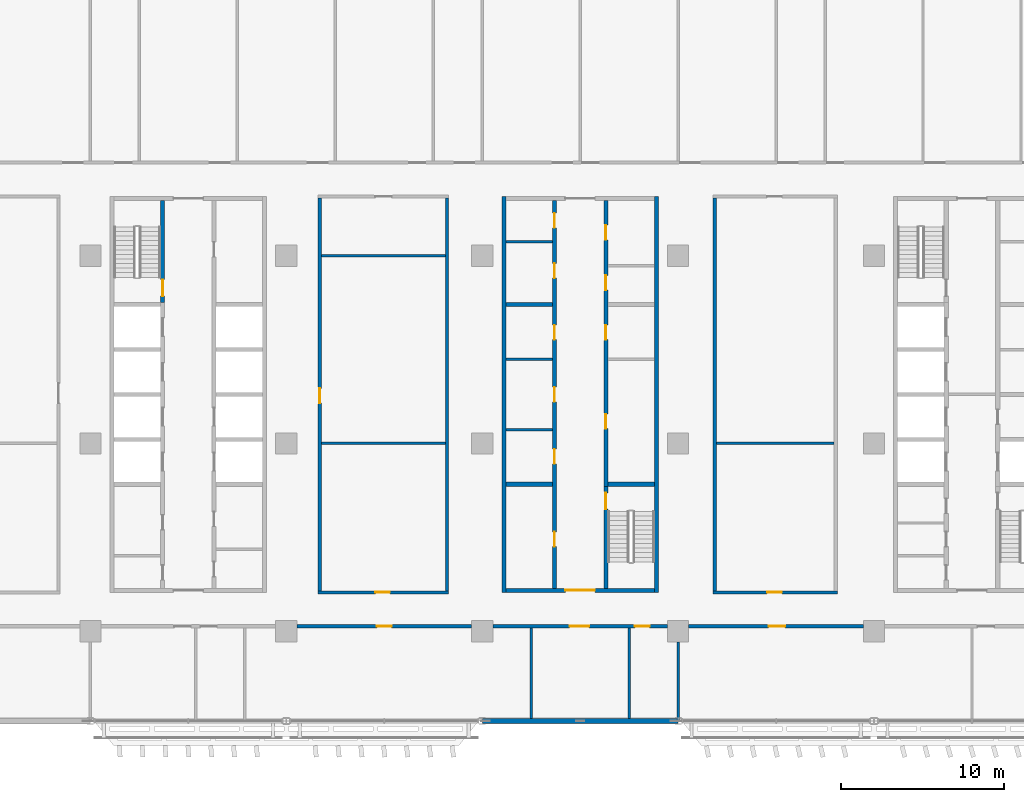
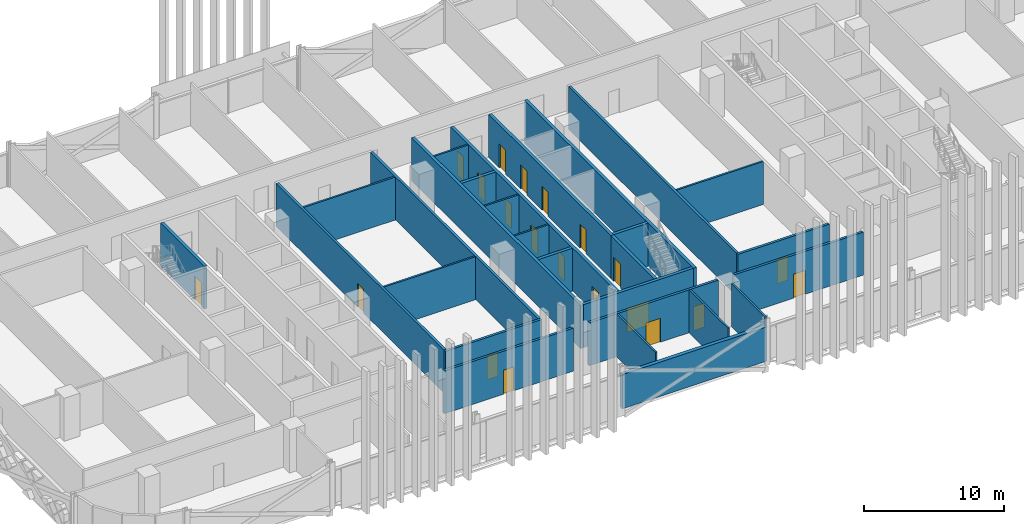
# One storey, part 12 of 33: 28 walls, 20 doors, 20 openings.
"""IFC4 building model written with IfcOpenShell, lengths in metres."""

from ifc_helpers import new_model, si_unit, direction, frame, frame_2d, origin, place, context, subcontext, project, spatial, rectangle, extrude, material, layer, layer_set, type_object, element, fill, save


model = new_model("IFC4")

# Units and contexts
model_context = context("Model", 3, precision=1e-05, world=origin(), true_north=direction((0.0, 1.0)))
body_context = subcontext(model_context, "Body", "Model", "MODEL_VIEW")
ifc_project = project(units=[si_unit("LENGTHUNIT", "METRE"), si_unit("AREAUNIT", "SQUARE_METRE"), si_unit("VOLUMEUNIT", "CUBIC_METRE"), si_unit("PLANEANGLEUNIT", "RADIAN"), si_unit("MASSUNIT", "GRAM", prefix="KILO")], contexts=[model_context])

# Site, building, storey
site_placement = place(None, origin())
site = spatial("IfcSite", under=ifc_project, at=site_placement, CompositionType="ELEMENT")
building_placement = place(site_placement, origin())
building = spatial("IfcBuilding", under=site, at=building_placement, Name="Mahtab Terrace Research Tower", CompositionType="ELEMENT")
storey_placement = place(building_placement, frame((0.0, 0.0, 122.0)))
storey = spatial("IfcBuildingStorey", under=building, at=storey_placement, Name="L28", CompositionType="ELEMENT", Elevation=122.0)

# Walls
ifc_material_1 = material(Name="Gypsum board partition")
ifc_layer_1 = layer(ifc_material_1, 0.14990234375)
ifc_layer_set_1 = layer_set([ifc_layer_1], Name="Core partition 150")
wall_type_1 = type_object("IfcWallType", Name="Core partition 150", PredefinedType="PARTITIONING", material=ifc_layer_set_1)
for number, where, z_axis, x_axis, name in (
    (1, (-4.550048828125, 0.85009765625, 0.0), (0.0, 0.0, 1.0), (1.0, 0.0, 0.0), "Core wall B pWL-215"),
    (2, (-4.550048828125, 5.14990234375, 0.0), (0.0, 0.0, 1.0), (1.0, 0.0, 0.0), "Core wall B pWL215"),
    (3, (-4.550048828125, 12.35498046875, 0.0), (0.0, 0.0, 1.0), (1.0, 0.0, 0.0), "Core wall B pWN936"),
):
    element("IfcWall", number, at=place(storey_placement, frame(where, z_axis=z_axis, x_axis=x_axis)), inside=storey, type_object=wall_type_1, Name=name, PredefinedType="PARTITIONING", context=body_context, shape_type="SweptSolid", body=[
        extrude(rectangle(XDim=2.85009765625, YDim=0.14990234375, at=frame_2d((1.425048828125, 0.0))), origin(), (0.0, 0.0, 1.0), 3.760009765625),
    ])

# Wall, opening, door
ifc_material_2 = material(Name="Concrete C70/85", Category="concrete")
ifc_layer_2 = layer(ifc_material_2, 0.25)
ifc_layer_set_2 = layer_set([ifc_layer_2], Name="Core wall 250")
wall_type_2 = type_object("IfcWallType", Name="Core wall 250", PredefinedType="SOLIDWALL", material=ifc_layer_set_2)
wall_1_placement = place(storey_placement, frame((-25.574951171875, 14.875, 0.0), z_axis=(0.0, 0.0, 1.0), x_axis=(0.0, -1.0, 0.0)))
wall_1 = element("IfcWall", 4, at=wall_1_placement, inside=storey, type_object=wall_type_2, Name="Core wall A innerWN", PredefinedType="SOLIDWALL", context=body_context, shape_type="SweptSolid", body=[
    extrude(rectangle(XDim=6.25, YDim=0.25, at=frame_2d((3.125, 0.0))), origin(), (0.0, 0.0, 1.0), 3.760009765625),
])
opening_1_placement = place(wall_1_placement, frame((4.85009765625, 0.0, 0.0)))
opening_1 = element("IfcOpeningElement", 5, at=opening_1_placement, cuts=wall_1, Name="Opening A-ST1", PredefinedType="OPENING", context=body_context, shape_type="SweptSolid", body=[
    extrude(rectangle(XDim=1.0, YDim=2.10009765625, at=frame_2d((0.5, 1.050048828125))), frame((0.0, 0.135009765625, 0.0), z_axis=(0.0, -1.0, 0.0), x_axis=(1.0, 0.0, 0.0)), (0.0, 0.0, 1.0), 0.27001953125),
])
ifc_material_3 = material(Name="Steel fire door", Category="steel")
door_type_1 = type_object("IfcDoorType", Name="Stair door 1000x2100 1.5 HR", OperationType="NOTDEFINED", PredefinedType="DOOR", material=ifc_material_3)
door_1_placement = place(opening_1_placement, origin())
door_1 = element("IfcDoor", 6, at=door_1_placement, inside=storey, type_object=door_type_1, Name="Stair door ST1 L28", OperationType="SINGLE_SWING_RIGHT", OverallHeight=2.10009765625, OverallWidth=1.0, PredefinedType="DOOR", context=body_context, shape_type="SweptSolid", body=[
    extrude(rectangle(XDim=1.0, YDim=2.10009765625, at=frame_2d((0.5, 1.050048828125))), frame((0.0, 0.02490234375, 0.0), z_axis=(0.0, -1.0, 0.0), x_axis=(1.0, 0.0, 0.0)), (0.0, 0.0, 1.0), 0.050048828125),
])
fill(opening_1, door_1)

# Walls
for number, where, z_axis, x_axis, name in (
    (7, (-4.675048828125, 15.125, 0.0), (0.0, 0.0, 1.0), (0.0, -1.0, 0.0), "Core wall B outerW"),
    (8, (4.675048828125, -9.125, 0.0), (0.0, 0.0, 1.0), (0.0, 1.0, 0.0), "Core wall B outerE"),
):
    element("IfcWall", number, at=place(storey_placement, frame(where, z_axis=z_axis, x_axis=x_axis)), inside=storey, type_object=wall_type_2, Name=name, PredefinedType="SOLIDWALL", context=body_context, shape_type="SweptSolid", body=[
        extrude(rectangle(XDim=24.25, YDim=0.25, at=frame_2d((12.125, 0.0))), origin(), (0.0, 0.0, 1.0), 3.760009765625),
    ])

# Wall, opening, door
wall_2_placement = place(storey_placement, frame((4.550048828125, -9.0, 0.0), z_axis=(0.0, 0.0, 1.0), x_axis=(-1.0, 0.0, 0.0)))
wall_2 = element("IfcWall", 9, at=wall_2_placement, inside=storey, type_object=wall_type_2, Name="Core wall B endS", PredefinedType="SOLIDWALL", context=body_context, shape_type="SweptSolid", body=[
    extrude(rectangle(XDim=9.10009765625, YDim=0.25, at=frame_2d((4.550048828125, 0.0))), origin(), (0.0, 0.0, 1.0), 3.760009765625),
])
opening_2_placement = place(wall_2_placement, frame((3.64990234375, 0.0, 0.0)))
opening_2 = element("IfcOpeningElement", 10, at=opening_2_placement, cuts=wall_2, Name="Opening B-S1", PredefinedType="OPENING", context=body_context, shape_type="SweptSolid", body=[
    extrude(rectangle(XDim=1.800048828125, YDim=2.10009765625, at=frame_2d((0.89990234375, 1.050048828125))), frame((0.0, 0.135009765625, 0.0), z_axis=(0.0, -1.0, 0.0), x_axis=(1.0, 0.0, 0.0)), (0.0, 0.0, 1.0), 0.27001953125),
])
door_type_2 = type_object("IfcDoorType", Name="Lobby double door 1800x2100 1 HR", OperationType="DOUBLE_DOOR_SINGLE_SWING", PredefinedType="DOOR", material=ifc_material_3)
door_2_placement = place(opening_2_placement, origin())
door_2 = element("IfcDoor", 11, at=door_2_placement, inside=storey, type_object=door_type_2, Name="Core entrance door B S", OperationType="DOUBLE_DOOR_SINGLE_SWING", OverallHeight=2.10009765625, OverallWidth=1.800048828125, PredefinedType="DOOR", context=body_context, shape_type="SweptSolid", body=[
    extrude(rectangle(XDim=1.800048828125, YDim=2.10009765625, at=frame_2d((0.89990234375, 1.050048828125))), frame((0.0, 0.02490234375, 0.0), z_axis=(0.0, -1.0, 0.0), x_axis=(1.0, 0.0, 0.0)), (0.0, 0.0, 1.0), 0.050048828125),
])
fill(opening_2, door_2)

# Wall, openings, doors
wall_3_placement = place(storey_placement, frame((-1.574951171875, -8.875, 0.0), z_axis=(0.0, 0.0, 1.0), x_axis=(0.0, 1.0, 0.0)))
wall_3 = element("IfcWall", 12, at=wall_3_placement, inside=storey, type_object=wall_type_2, Name="Core wall B innerWSLN", PredefinedType="SOLIDWALL", context=body_context, shape_type="SweptSolid", body=[
    extrude(rectangle(XDim=23.75, YDim=0.25, at=frame_2d((11.875, 0.0))), origin(), (0.0, 0.0, 1.0), 3.760009765625),
])
opening_3_placement = place(wall_3_placement, frame((7.625, 0.0, 0.0)))
opening_3 = element("IfcOpeningElement", 13, at=opening_3_placement, cuts=wall_3, Name="Opening B-R1", PredefinedType="OPENING", context=body_context, shape_type="SweptSolid", body=[
    extrude(rectangle(XDim=0.89990234375, YDim=2.10009765625, at=frame_2d((0.449951171875, 1.050048828125))), frame((0.0, 0.135009765625, 0.0), z_axis=(0.0, -1.0, 0.0), x_axis=(1.0, 0.0, 0.0)), (0.0, 0.0, 1.0), 0.27001953125),
])
opening_4_placement = place(wall_3_placement, frame((11.425048828125, 0.0, 0.0)))
opening_4 = element("IfcOpeningElement", 14, at=opening_4_placement, cuts=wall_3, Name="Opening B-R2", PredefinedType="OPENING", context=body_context, shape_type="SweptSolid", body=[
    extrude(rectangle(XDim=0.89990234375, YDim=2.10009765625, at=frame_2d((0.449951171875, 1.050048828125))), frame((0.0, 0.135009765625, 0.0), z_axis=(0.0, -1.0, 0.0), x_axis=(1.0, 0.0, 0.0)), (0.0, 0.0, 1.0), 0.27001953125),
])
opening_5_placement = place(wall_3_placement, frame((15.22509765625, 0.0, 0.0)))
opening_5 = element("IfcOpeningElement", 15, at=opening_5_placement, cuts=wall_3, Name="Opening B-R3", PredefinedType="OPENING", context=body_context, shape_type="SweptSolid", body=[
    extrude(rectangle(XDim=0.89990234375, YDim=2.10009765625, at=frame_2d((0.449951171875, 1.050048828125))), frame((0.0, 0.135009765625, 0.0), z_axis=(0.0, -1.0, 0.0), x_axis=(1.0, 0.0, 0.0)), (0.0, 0.0, 1.0), 0.27001953125),
])
opening_6_placement = place(wall_3_placement, frame((2.550048828125, 0.0, 0.0)))
opening_6 = element("IfcOpeningElement", 16, at=opening_6_placement, cuts=wall_3, Name="Opening B-R6", PredefinedType="OPENING", context=body_context, shape_type="SweptSolid", body=[
    extrude(rectangle(XDim=0.89990234375, YDim=2.10009765625, at=frame_2d((0.449951171875, 1.050048828125))), frame((0.0, 0.135009765625, 0.0), z_axis=(0.0, -1.0, 0.0), x_axis=(1.0, 0.0, 0.0)), (0.0, 0.0, 1.0), 0.27001953125),
])
opening_7_placement = place(wall_3_placement, frame((19.00244140625, 0.0, 0.0)))
opening_7 = element("IfcOpeningElement", 17, at=opening_7_placement, cuts=wall_3, Name="Opening B-R7", PredefinedType="OPENING", context=body_context, shape_type="SweptSolid", body=[
    extrude(rectangle(XDim=0.89990234375, YDim=2.10009765625, at=frame_2d((0.449951171875, 1.050048828125))), frame((0.0, 0.135009765625, 0.0), z_axis=(0.0, -1.0, 0.0), x_axis=(1.0, 0.0, 0.0)), (0.0, 0.0, 1.0), 0.27001953125),
])
opening_8_placement = place(wall_3_placement, frame((22.077392578125, 0.0, 0.0)))
opening_8 = element("IfcOpeningElement", 18, at=opening_8_placement, cuts=wall_3, Name="Opening B-R8", PredefinedType="OPENING", context=body_context, shape_type="SweptSolid", body=[
    extrude(rectangle(XDim=0.89990234375, YDim=2.10009765625, at=frame_2d((0.449951171875, 1.050048828125))), frame((0.0, 0.135009765625, 0.0), z_axis=(0.0, -1.0, 0.0), x_axis=(1.0, 0.0, 0.0)), (0.0, 0.0, 1.0), 0.27001953125),
])
door_type_3 = type_object("IfcDoorType", Name="Room door 900x2100 1 HR", OperationType="NOTDEFINED", PredefinedType="DOOR", material=ifc_material_3)
door_3_placement = place(opening_3_placement, origin())
door_3 = element("IfcDoor", 19, at=door_3_placement, inside=storey, type_object=door_type_3, Name="Electrical room door", OperationType="SINGLE_SWING_LEFT", OverallHeight=2.10009765625, OverallWidth=0.89990234375, PredefinedType="DOOR", context=body_context, shape_type="SweptSolid", body=[
    extrude(rectangle(XDim=0.89990234375, YDim=2.10009765625, at=frame_2d((0.449951171875, 1.050048828125))), frame((0.0, 0.02490234375, 0.0), z_axis=(0.0, -1.0, 0.0), x_axis=(1.0, 0.0, 0.0)), (0.0, 0.0, 1.0), 0.050048828125),
])
fill(opening_3, door_3)
door_4_placement = place(opening_4_placement, origin())
door_4 = element("IfcDoor", 20, at=door_4_placement, inside=storey, type_object=door_type_3, Name="Pantry door", OperationType="SINGLE_SWING_RIGHT", OverallHeight=2.10009765625, OverallWidth=0.89990234375, PredefinedType="DOOR", context=body_context, shape_type="SweptSolid", body=[
    extrude(rectangle(XDim=0.89990234375, YDim=2.10009765625, at=frame_2d((0.449951171875, 1.050048828125))), frame((0.0, 0.02490234375, 0.0), z_axis=(0.0, -1.0, 0.0), x_axis=(1.0, 0.0, 0.0)), (0.0, 0.0, 1.0), 0.050048828125),
])
fill(opening_4, door_4)
door_5_placement = place(opening_5_placement, origin())
door_5 = element("IfcDoor", 21, at=door_5_placement, inside=storey, type_object=door_type_3, Name="Housekeeping store door", OperationType="SINGLE_SWING_LEFT", OverallHeight=2.10009765625, OverallWidth=0.89990234375, PredefinedType="DOOR", context=body_context, shape_type="SweptSolid", body=[
    extrude(rectangle(XDim=0.89990234375, YDim=2.10009765625, at=frame_2d((0.449951171875, 1.050048828125))), frame((0.0, 0.02490234375, 0.0), z_axis=(0.0, -1.0, 0.0), x_axis=(1.0, 0.0, 0.0)), (0.0, 0.0, 1.0), 0.050048828125),
])
fill(opening_5, door_5)
door_6_placement = place(opening_6_placement, origin())
door_6 = element("IfcDoor", 22, at=door_6_placement, inside=storey, type_object=door_type_3, Name="Gas cylinder store door", OperationType="SINGLE_SWING_RIGHT", OverallHeight=2.10009765625, OverallWidth=0.89990234375, PredefinedType="DOOR", context=body_context, shape_type="SweptSolid", body=[
    extrude(rectangle(XDim=0.89990234375, YDim=2.10009765625, at=frame_2d((0.449951171875, 1.050048828125))), frame((0.0, 0.02490234375, 0.0), z_axis=(0.0, -1.0, 0.0), x_axis=(1.0, 0.0, 0.0)), (0.0, 0.0, 1.0), 0.050048828125),
])
fill(opening_6, door_6)
door_7_placement = place(opening_7_placement, origin())
door_7 = element("IfcDoor", 23, at=door_7_placement, inside=storey, type_object=door_type_3, Name="Pantry door", OperationType="SINGLE_SWING_LEFT", OverallHeight=2.10009765625, OverallWidth=0.89990234375, PredefinedType="DOOR", context=body_context, shape_type="SweptSolid", body=[
    extrude(rectangle(XDim=0.89990234375, YDim=2.10009765625, at=frame_2d((0.449951171875, 1.050048828125))), frame((0.0, 0.02490234375, 0.0), z_axis=(0.0, -1.0, 0.0), x_axis=(1.0, 0.0, 0.0)), (0.0, 0.0, 1.0), 0.050048828125),
])
fill(opening_7, door_7)
door_8_placement = place(opening_8_placement, origin())
door_8 = element("IfcDoor", 24, at=door_8_placement, inside=storey, type_object=door_type_3, Name="Linen store door", OperationType="SINGLE_SWING_RIGHT", OverallHeight=2.10009765625, OverallWidth=0.89990234375, PredefinedType="DOOR", context=body_context, shape_type="SweptSolid", body=[
    extrude(rectangle(XDim=0.89990234375, YDim=2.10009765625, at=frame_2d((0.449951171875, 1.050048828125))), frame((0.0, 0.02490234375, 0.0), z_axis=(0.0, -1.0, 0.0), x_axis=(1.0, 0.0, 0.0)), (0.0, 0.0, 1.0), 0.050048828125),
])
fill(opening_8, door_8)

# Wall, opening, door
wall_4_placement = place(storey_placement, frame((1.574951171875, -8.875, 0.0), z_axis=(0.0, 0.0, 1.0), x_axis=(0.0, 1.0, 0.0)))
wall_4 = element("IfcWall", 25, at=wall_4_placement, inside=storey, type_object=wall_type_2, Name="Core wall B innerES", PredefinedType="SOLIDWALL", context=body_context, shape_type="SweptSolid", body=[
    extrude(rectangle(XDim=6.25, YDim=0.25, at=frame_2d((3.125, 0.0))), origin(), (0.0, 0.0, 1.0), 3.760009765625),
])
opening_9_placement = place(wall_4_placement, frame((4.85009765625, 0.0, 0.0)))
opening_9 = element("IfcOpeningElement", 26, at=opening_9_placement, cuts=wall_4, Name="Opening B-ST2", PredefinedType="OPENING", context=body_context, shape_type="SweptSolid", body=[
    extrude(rectangle(XDim=1.0, YDim=2.10009765625, at=frame_2d((0.5, 1.050048828125))), frame((0.0, 0.135009765625, 0.0), z_axis=(0.0, -1.0, 0.0), x_axis=(1.0, 0.0, 0.0)), (0.0, 0.0, 1.0), 0.27001953125),
])
door_9_placement = place(opening_9_placement, origin())
door_9 = element("IfcDoor", 27, at=door_9_placement, inside=storey, type_object=door_type_1, Name="Stair door ST2 L28", OperationType="SINGLE_SWING_LEFT", OverallHeight=2.10009765625, OverallWidth=1.0, PredefinedType="DOOR", context=body_context, shape_type="SweptSolid", body=[
    extrude(rectangle(XDim=1.0, YDim=2.10009765625, at=frame_2d((0.5, 1.050048828125))), frame((0.0, 0.02490234375, 0.0), z_axis=(0.0, -1.0, 0.0), x_axis=(1.0, 0.0, 0.0)), (0.0, 0.0, 1.0), 0.050048828125),
])
fill(opening_9, door_9)

# Wall, openings, doors
wall_5_placement = place(storey_placement, frame((1.574951171875, 14.875, 0.0), z_axis=(0.0, 0.0, 1.0), x_axis=(0.0, -1.0, 0.0)))
wall_5 = element("IfcWall", 28, at=wall_5_placement, inside=storey, type_object=wall_type_2, Name="Core wall B innerELN", PredefinedType="SOLIDWALL", context=body_context, shape_type="SweptSolid", body=[
    extrude(rectangle(XDim=17.5, YDim=0.25, at=frame_2d((8.75, 0.0))), origin(), (0.0, 0.0, 1.0), 3.760009765625),
])
opening_10_placement = place(wall_5_placement, frame((13.074951171875, 0.0, 0.0)))
opening_10 = element("IfcOpeningElement", 29, at=opening_10_placement, cuts=wall_5, Name="Opening B-R4", PredefinedType="OPENING", context=body_context, shape_type="SweptSolid", body=[
    extrude(rectangle(XDim=0.89990234375, YDim=2.10009765625, at=frame_2d((0.449951171875, 1.050048828125))), frame((0.0, 0.135009765625, 0.0), z_axis=(0.0, -1.0, 0.0), x_axis=(1.0, 0.0, 0.0)), (0.0, 0.0, 1.0), 0.27001953125),
])
opening_11_placement = place(wall_5_placement, frame((7.625, 0.0, 0.0)))
opening_11 = element("IfcOpeningElement", 30, at=opening_11_placement, cuts=wall_5, Name="Opening B-R5", PredefinedType="OPENING", context=body_context, shape_type="SweptSolid", body=[
    extrude(rectangle(XDim=0.89990234375, YDim=2.10009765625, at=frame_2d((0.449951171875, 1.050048828125))), frame((0.0, 0.135009765625, 0.0), z_axis=(0.0, -1.0, 0.0), x_axis=(1.0, 0.0, 0.0)), (0.0, 0.0, 1.0), 0.27001953125),
])
opening_12_placement = place(wall_5_placement, frame((4.58740234375, 0.0, 0.0)))
opening_12 = element("IfcOpeningElement", 31, at=opening_12_placement, cuts=wall_5, Name="Opening B-R9", PredefinedType="OPENING", context=body_context, shape_type="SweptSolid", body=[
    extrude(rectangle(XDim=0.89990234375, YDim=2.10009765625, at=frame_2d((0.449951171875, 1.050048828125))), frame((0.0, 0.135009765625, 0.0), z_axis=(0.0, -1.0, 0.0), x_axis=(1.0, 0.0, 0.0)), (0.0, 0.0, 1.0), 0.27001953125),
])
opening_13_placement = place(wall_5_placement, frame((1.512451171875, 0.0, 0.0)))
opening_13 = element("IfcOpeningElement", 32, at=opening_13_placement, cuts=wall_5, Name="Opening B-R10", PredefinedType="OPENING", context=body_context, shape_type="SweptSolid", body=[
    extrude(rectangle(XDim=0.89990234375, YDim=2.10009765625, at=frame_2d((0.449951171875, 1.050048828125))), frame((0.0, 0.135009765625, 0.0), z_axis=(0.0, -1.0, 0.0), x_axis=(1.0, 0.0, 0.0)), (0.0, 0.0, 1.0), 0.27001953125),
])
door_10_placement = place(opening_10_placement, origin())
door_10 = element("IfcDoor", 33, at=door_10_placement, inside=storey, type_object=door_type_3, Name="Chemical store door", OperationType="SINGLE_SWING_RIGHT", OverallHeight=2.10009765625, OverallWidth=0.89990234375, PredefinedType="DOOR", context=body_context, shape_type="SweptSolid", body=[
    extrude(rectangle(XDim=0.89990234375, YDim=2.10009765625, at=frame_2d((0.449951171875, 1.050048828125))), frame((0.0, 0.02490234375, 0.0), z_axis=(0.0, -1.0, 0.0), x_axis=(1.0, 0.0, 0.0)), (0.0, 0.0, 1.0), 0.050048828125),
])
fill(opening_10, door_10)
door_11_placement = place(opening_11_placement, origin())
door_11 = element("IfcDoor", 34, at=door_11_placement, inside=storey, type_object=door_type_3, Name="Waste room door", OperationType="SINGLE_SWING_LEFT", OverallHeight=2.10009765625, OverallWidth=0.89990234375, PredefinedType="DOOR", context=body_context, shape_type="SweptSolid", body=[
    extrude(rectangle(XDim=0.89990234375, YDim=2.10009765625, at=frame_2d((0.449951171875, 1.050048828125))), frame((0.0, 0.02490234375, 0.0), z_axis=(0.0, -1.0, 0.0), x_axis=(1.0, 0.0, 0.0)), (0.0, 0.0, 1.0), 0.050048828125),
])
fill(opening_11, door_11)
door_12_placement = place(opening_12_placement, origin())
door_12 = element("IfcDoor", 35, at=door_12_placement, inside=storey, type_object=door_type_3, Name="Accessible WC door", OperationType="SINGLE_SWING_LEFT", OverallHeight=2.10009765625, OverallWidth=0.89990234375, PredefinedType="DOOR", context=body_context, shape_type="SweptSolid", body=[
    extrude(rectangle(XDim=0.89990234375, YDim=2.10009765625, at=frame_2d((0.449951171875, 1.050048828125))), frame((0.0, 0.02490234375, 0.0), z_axis=(0.0, -1.0, 0.0), x_axis=(1.0, 0.0, 0.0)), (0.0, 0.0, 1.0), 0.050048828125),
])
fill(opening_12, door_12)
door_13_placement = place(opening_13_placement, origin())
door_13 = element("IfcDoor", 36, at=door_13_placement, inside=storey, type_object=door_type_3, Name="WC block door", OperationType="SINGLE_SWING_RIGHT", OverallHeight=2.10009765625, OverallWidth=0.89990234375, PredefinedType="DOOR", context=body_context, shape_type="SweptSolid", body=[
    extrude(rectangle(XDim=0.89990234375, YDim=2.10009765625, at=frame_2d((0.449951171875, 1.050048828125))), frame((0.0, 0.02490234375, 0.0), z_axis=(0.0, -1.0, 0.0), x_axis=(1.0, 0.0, 0.0)), (0.0, 0.0, 1.0), 0.050048828125),
])
fill(opening_13, door_13)

# Walls
for number, where, z_axis, x_axis, name in (
    (37, (-4.550048828125, -2.5, 0.0), (0.0, 0.0, 1.0), (1.0, 0.0, 0.0), "Core wall B divW0"),
    (38, (-4.550048828125, 8.5, 0.0), (0.0, 0.0, 1.0), (1.0, 0.0, 0.0), "Core wall B divW4"),
    (39, (1.699951171875, -2.5, 0.0), (0.0, 0.0, 1.0), (1.0, 0.0, 0.0), "Core wall B divE0"),
):
    element("IfcWall", number, at=place(storey_placement, frame(where, z_axis=z_axis, x_axis=x_axis)), inside=storey, type_object=wall_type_2, Name=name, PredefinedType="SOLIDWALL", context=body_context, shape_type="SweptSolid", body=[
        extrude(rectangle(XDim=2.85009765625, YDim=0.25, at=frame_2d((1.425048828125, 0.0))), origin(), (0.0, 0.0, 1.0), 3.760009765625),
    ])
ifc_material_4 = material(Name="Black aluminium cladding panel", Category="aluminium")
ifc_layer_3 = layer(ifc_material_4, 0.300048828125)
ifc_layer_set_3 = layer_set([ifc_layer_3], Name="Opaque facade wall 300")
wall_type_3 = type_object("IfcWallType", Name="Opaque facade wall 300", PredefinedType="NOTDEFINED", material=ifc_layer_set_3)
wall_6_placement = place(storey_placement, frame((-5.982177734375, -17.0, 0.0), z_axis=(0.0, 0.0, 1.0), x_axis=(1.0, 0.0, 0.0)))
element("IfcWall", 40, at=wall_6_placement, inside=storey, type_object=wall_type_3, Name="Opaque facade wall L28 S27", PredefinedType="NOTDEFINED", context=body_context, shape_type="SweptSolid", body=[
    extrude(rectangle(XDim=11.96435546875, YDim=0.300048828125, at=frame_2d((5.982177734375, 0.0))), origin(), (0.0, 0.0, 1.0), 3.003173828125),
])

# Wall, opening, door
ifc_material_5 = material(Name="Gypsum board corridor wall on steel studs", Category="steel")
ifc_layer_4 = layer(ifc_material_5, 0.199951171875)
ifc_layer_set_4 = layer_set([ifc_layer_4], Name="WALL CORRIDOR 200")
wall_type_4 = type_object("IfcWallType", Name="WALL CORRIDOR 200", PredefinedType="PARTITIONING", material=ifc_layer_set_4)
wall_7_placement = place(storey_placement, frame((-17.35009765625, -11.199951171875, 0.0), z_axis=(0.0, 0.0, 1.0), x_axis=(1.0, 0.0, 0.0)))
wall_7 = element("IfcWall", 41, at=wall_7_placement, inside=storey, type_object=wall_type_4, Name="L28-W004", PredefinedType="PARTITIONING", context=body_context, shape_type="SweptSolid", body=[
    extrude(rectangle(XDim=10.7001953125, YDim=0.199951171875, at=frame_2d((5.35009765625, 0.0))), origin(), (0.0, 0.0, 1.0), 3.760009765625),
])
opening_14_placement = place(wall_7_placement, frame((4.89990234375, 0.0, 0.0)))
opening_14 = element("IfcOpeningElement", 42, at=opening_14_placement, cuts=wall_7, Name="Opening L28-104", PredefinedType="OPENING", context=body_context, shape_type="SweptSolid", body=[
    extrude(rectangle(XDim=0.89990234375, YDim=2.10009765625, at=frame_2d((0.449951171875, 1.050048828125))), frame((0.0, 0.10986328125, 0.0), z_axis=(0.0, -1.0, 0.0), x_axis=(1.0, 0.0, 0.0)), (0.0, 0.0, 1.0), 0.219970703125),
])
ifc_material_6 = material(Name="Timber door leaf in steel frame", Category="steel")
door_type_4 = type_object("IfcDoorType", Name="DOOR 0900X2100 FD30S", OperationType="SINGLE_SWING_LEFT", PredefinedType="DOOR", material=ifc_material_6)
door_14_placement = place(opening_14_placement, origin())
door_14 = element("IfcDoor", 43, at=door_14_placement, inside=storey, type_object=door_type_4, Name="Door L28-104", OperationType="SINGLE_SWING_LEFT", OverallHeight=2.10009765625, OverallWidth=0.89990234375, PredefinedType="DOOR", context=body_context, shape_type="SweptSolid", body=[
    extrude(rectangle(XDim=0.89990234375, YDim=2.10009765625, at=frame_2d((0.449951171875, 1.050048828125))), frame((0.0, 0.02490234375, 0.0), z_axis=(0.0, -1.0, 0.0), x_axis=(1.0, 0.0, 0.0)), (0.0, 0.0, 1.0), 0.050048828125),
])
fill(opening_14, door_14)

# Wall, openings, doors
wall_8_placement = place(storey_placement, frame((-5.35009765625, -11.199951171875, 0.0), z_axis=(0.0, 0.0, 1.0), x_axis=(1.0, 0.0, 0.0)))
wall_8 = element("IfcWall", 44, at=wall_8_placement, inside=storey, type_object=wall_type_4, Name="L28-W005", PredefinedType="PARTITIONING", context=body_context, shape_type="SweptSolid", body=[
    extrude(rectangle(XDim=10.7001953125, YDim=0.199951171875, at=frame_2d((5.35009765625, 0.0))), origin(), (0.0, 0.0, 1.0), 3.760009765625),
])
opening_15_placement = place(wall_8_placement, frame((4.699951171875, 0.0, 0.0)))
opening_15 = element("IfcOpeningElement", 45, at=opening_15_placement, cuts=wall_8, Name="Opening L28-105", PredefinedType="OPENING", context=body_context, shape_type="SweptSolid", body=[
    extrude(rectangle(XDim=1.199951171875, YDim=2.10009765625, at=frame_2d((0.60009765625, 1.050048828125))), frame((0.0, 0.10986328125, 0.0), z_axis=(0.0, -1.0, 0.0), x_axis=(1.0, 0.0, 0.0)), (0.0, 0.0, 1.0), 0.219970703125),
])
opening_16_placement = place(wall_8_placement, frame((8.699951171875, 0.0, 0.0)))
opening_16 = element("IfcOpeningElement", 46, at=opening_16_placement, cuts=wall_8, Name="Opening L28-106", PredefinedType="OPENING", context=body_context, shape_type="SweptSolid", body=[
    extrude(rectangle(XDim=0.89990234375, YDim=2.10009765625, at=frame_2d((0.449951171875, 1.050048828125))), frame((0.0, 0.10986328125, 0.0), z_axis=(0.0, -1.0, 0.0), x_axis=(1.0, 0.0, 0.0)), (0.0, 0.0, 1.0), 0.219970703125),
])
door_15_placement = place(opening_16_placement, origin())
door_15 = element("IfcDoor", 47, at=door_15_placement, inside=storey, type_object=door_type_4, Name="Door L28-106", OperationType="SINGLE_SWING_LEFT", OverallHeight=2.10009765625, OverallWidth=0.89990234375, PredefinedType="DOOR", context=body_context, shape_type="SweptSolid", body=[
    extrude(rectangle(XDim=0.89990234375, YDim=2.10009765625, at=frame_2d((0.449951171875, 1.050048828125))), frame((0.0, 0.02490234375, 0.0), z_axis=(0.0, -1.0, 0.0), x_axis=(1.0, 0.0, 0.0)), (0.0, 0.0, 1.0), 0.050048828125),
])
fill(opening_16, door_15)
door_type_5 = type_object("IfcDoorType", Name="DOOR 1200X2100 FD30S", OperationType="SINGLE_SWING_LEFT", PredefinedType="DOOR", material=ifc_material_6)
door_16_placement = place(opening_15_placement, origin())
door_16 = element("IfcDoor", 48, at=door_16_placement, inside=storey, type_object=door_type_5, Name="Door L28-105", OperationType="SINGLE_SWING_RIGHT", OverallHeight=2.10009765625, OverallWidth=1.199951171875, PredefinedType="DOOR", context=body_context, shape_type="SweptSolid", body=[
    extrude(rectangle(XDim=1.199951171875, YDim=2.10009765625, at=frame_2d((0.60009765625, 1.050048828125))), frame((0.0, 0.02490234375, 0.0), z_axis=(0.0, -1.0, 0.0), x_axis=(1.0, 0.0, 0.0)), (0.0, 0.0, 1.0), 0.050048828125),
])
fill(opening_15, door_16)

# Wall, opening, door
wall_9_placement = place(storey_placement, frame((6.64990234375, -11.199951171875, 0.0), z_axis=(0.0, 0.0, 1.0), x_axis=(1.0, 0.0, 0.0)))
wall_9 = element("IfcWall", 49, at=wall_9_placement, inside=storey, type_object=wall_type_4, Name="L28-W006", PredefinedType="PARTITIONING", context=body_context, shape_type="SweptSolid", body=[
    extrude(rectangle(XDim=10.7001953125, YDim=0.199951171875, at=frame_2d((5.35009765625, 0.0))), origin(), (0.0, 0.0, 1.0), 3.760009765625),
])
opening_17_placement = place(wall_9_placement, frame((4.89990234375, 0.0, 0.0)))
opening_17 = element("IfcOpeningElement", 50, at=opening_17_placement, cuts=wall_9, Name="Opening L28-107", PredefinedType="OPENING", context=body_context, shape_type="SweptSolid", body=[
    extrude(rectangle(XDim=1.0, YDim=2.10009765625, at=frame_2d((0.5, 1.050048828125))), frame((0.0, 0.10986328125, 0.0), z_axis=(0.0, -1.0, 0.0), x_axis=(1.0, 0.0, 0.0)), (0.0, 0.0, 1.0), 0.219970703125),
])
door_type_6 = type_object("IfcDoorType", Name="DOOR 1000X2100 FD30S", OperationType="SINGLE_SWING_LEFT", PredefinedType="DOOR", material=ifc_material_6)
door_17_placement = place(opening_17_placement, origin())
door_17 = element("IfcDoor", 51, at=door_17_placement, inside=storey, type_object=door_type_6, Name="Door L28-107", OperationType="SINGLE_SWING_LEFT", OverallHeight=2.10009765625, OverallWidth=1.0, PredefinedType="DOOR", context=body_context, shape_type="SweptSolid", body=[
    extrude(rectangle(XDim=1.0, YDim=2.10009765625, at=frame_2d((0.5, 1.050048828125))), frame((0.0, 0.02490234375, 0.0), z_axis=(0.0, -1.0, 0.0), x_axis=(1.0, 0.0, 0.0)), (0.0, 0.0, 1.0), 0.050048828125),
])
fill(opening_17, door_17)

wall_10_placement = place(storey_placement, frame((-16.050048828125, -9.125, 0.0), z_axis=(0.0, 0.0, 1.0), x_axis=(1.0, 0.0, 0.0)))
wall_10 = element("IfcWall", 52, at=wall_10_placement, inside=storey, type_object=wall_type_4, Name="L28-W011", PredefinedType="PARTITIONING", context=body_context, shape_type="SweptSolid", body=[
    extrude(rectangle(XDim=8.0, YDim=0.199951171875, at=frame_2d((4.0, 0.0))), origin(), (0.0, 0.0, 1.0), 3.760009765625),
])
opening_18_placement = place(wall_10_placement, frame((3.5, 0.0, 0.0)))
opening_18 = element("IfcOpeningElement", 53, at=opening_18_placement, cuts=wall_10, Name="Opening L28-113", PredefinedType="OPENING", context=body_context, shape_type="SweptSolid", body=[
    extrude(rectangle(XDim=0.89990234375, YDim=2.10009765625, at=frame_2d((0.449951171875, 1.050048828125))), frame((0.0, 0.10986328125, 0.0), z_axis=(0.0, -1.0, 0.0), x_axis=(1.0, 0.0, 0.0)), (0.0, 0.0, 1.0), 0.219970703125),
])
door_18_placement = place(opening_18_placement, origin())
door_18 = element("IfcDoor", 54, at=door_18_placement, inside=storey, type_object=door_type_4, Name="Door L28-113", OperationType="SINGLE_SWING_LEFT", OverallHeight=2.10009765625, OverallWidth=0.89990234375, PredefinedType="DOOR", context=body_context, shape_type="SweptSolid", body=[
    extrude(rectangle(XDim=0.89990234375, YDim=2.10009765625, at=frame_2d((0.449951171875, 1.050048828125))), frame((0.0, 0.02490234375, 0.0), z_axis=(0.0, -1.0, 0.0), x_axis=(1.0, 0.0, 0.0)), (0.0, 0.0, 1.0), 0.050048828125),
])
fill(opening_18, door_18)

wall_11_placement = place(storey_placement, frame((8.14990234375, -9.125, 0.0), z_axis=(0.0, 0.0, 1.0), x_axis=(1.0, 0.0, 0.0)))
wall_11 = element("IfcWall", 55, at=wall_11_placement, inside=storey, type_object=wall_type_4, Name="L28-W012", PredefinedType="PARTITIONING", context=body_context, shape_type="SweptSolid", body=[
    extrude(rectangle(XDim=7.60009765625, YDim=0.199951171875, at=frame_2d((3.800048828125, 0.0))), origin(), (0.0, 0.0, 1.0), 3.760009765625),
])
opening_19_placement = place(wall_11_placement, frame((3.300048828125, 0.0, 0.0)))
opening_19 = element("IfcOpeningElement", 56, at=opening_19_placement, cuts=wall_11, Name="Opening L28-114", PredefinedType="OPENING", context=body_context, shape_type="SweptSolid", body=[
    extrude(rectangle(XDim=0.89990234375, YDim=2.10009765625, at=frame_2d((0.449951171875, 1.050048828125))), frame((0.0, 0.10986328125, 0.0), z_axis=(0.0, -1.0, 0.0), x_axis=(1.0, 0.0, 0.0)), (0.0, 0.0, 1.0), 0.219970703125),
])
door_19_placement = place(opening_19_placement, origin())
door_19 = element("IfcDoor", 57, at=door_19_placement, inside=storey, type_object=door_type_4, Name="Door L28-114", OperationType="SINGLE_SWING_LEFT", OverallHeight=2.10009765625, OverallWidth=0.89990234375, PredefinedType="DOOR", context=body_context, shape_type="SweptSolid", body=[
    extrude(rectangle(XDim=0.89990234375, YDim=2.10009765625, at=frame_2d((0.449951171875, 1.050048828125))), frame((0.0, 0.02490234375, 0.0), z_axis=(0.0, -1.0, 0.0), x_axis=(1.0, 0.0, 0.0)), (0.0, 0.0, 1.0), 0.050048828125),
])
fill(opening_19, door_19)

wall_12_placement = place(storey_placement, frame((-15.949951171875, -9.02490234375, 0.0), z_axis=(0.0, 0.0, 1.0), x_axis=(0.0, 1.0, 0.0)))
wall_12 = element("IfcWall", 58, at=wall_12_placement, inside=storey, type_object=wall_type_4, Name="L28-W039", PredefinedType="PARTITIONING", context=body_context, shape_type="SweptSolid", body=[
    extrude(rectangle(XDim=24.0498046875, YDim=0.199951171875, at=frame_2d((12.02490234375, 0.0))), origin(), (0.0, 0.0, 1.0), 3.760009765625),
])
opening_20_placement = place(wall_12_placement, frame((11.5, 0.0, 0.0)))
opening_20 = element("IfcOpeningElement", 59, at=opening_20_placement, cuts=wall_12, Name="Opening L28-117", PredefinedType="OPENING", context=body_context, shape_type="SweptSolid", body=[
    extrude(rectangle(XDim=0.89990234375, YDim=2.10009765625, at=frame_2d((0.449951171875, 1.050048828125))), frame((0.0, 0.10986328125, 0.0), z_axis=(0.0, -1.0, 0.0), x_axis=(1.0, 0.0, 0.0)), (0.0, 0.0, 1.0), 0.219970703125),
])
door_20_placement = place(opening_20_placement, origin())
door_20 = element("IfcDoor", 60, at=door_20_placement, inside=storey, type_object=door_type_4, Name="Door L28-117", OperationType="SINGLE_SWING_RIGHT", OverallHeight=2.10009765625, OverallWidth=0.89990234375, PredefinedType="DOOR", context=body_context, shape_type="SweptSolid", body=[
    extrude(rectangle(XDim=0.89990234375, YDim=2.10009765625, at=frame_2d((0.449951171875, 1.050048828125))), frame((0.0, 0.02490234375, 0.0), z_axis=(0.0, -1.0, 0.0), x_axis=(1.0, 0.0, 0.0)), (0.0, 0.0, 1.0), 0.050048828125),
])
fill(opening_20, door_20)

# Walls
for number, where, z_axis, x_axis, name in (
    (61, (-8.14990234375, -9.02490234375, 0.0), (0.0, 0.0, 1.0), (0.0, 1.0, 0.0), "L28-W042"),
    (62, (8.25, -9.02490234375, 0.0), (0.0, 0.0, 1.0), (0.0, 1.0, 0.0), "L28-W049"),
):
    element("IfcWall", number, at=place(storey_placement, frame(where, z_axis=z_axis, x_axis=x_axis)), inside=storey, type_object=wall_type_4, Name=name, PredefinedType="PARTITIONING", context=body_context, shape_type="SweptSolid", body=[
        extrude(rectangle(XDim=24.0498046875, YDim=0.199951171875, at=frame_2d((12.02490234375, 0.0))), origin(), (0.0, 0.0, 1.0), 3.760009765625),
    ])
ifc_material_7 = material(Name="Gypsum board partition on steel studs", Category="steel")
ifc_layer_5 = layer(ifc_material_7, 0.14990234375)
ifc_layer_set_5 = layer_set([ifc_layer_5], Name="WALL PARTITION 150")
wall_type_5 = type_object("IfcWallType", Name="WALL PARTITION 150", PredefinedType="PARTITIONING", material=ifc_layer_set_5)
wall_13_placement = place(storey_placement, frame((-15.85009765625, 0.0, 0.0), z_axis=(0.0, 0.0, 1.0), x_axis=(1.0, 0.0, 0.0)))
element("IfcWall", 63, at=wall_13_placement, inside=storey, type_object=wall_type_5, Name="L28-W016", PredefinedType="PARTITIONING", context=body_context, shape_type="SweptSolid", body=[
    extrude(rectangle(XDim=7.60009765625, YDim=0.14990234375, at=frame_2d((3.800048828125, 0.0))), origin(), (0.0, 0.0, 1.0), 3.760009765625),
])
wall_14_placement = place(storey_placement, frame((8.35009765625, 0.0, 0.0), z_axis=(0.0, 0.0, 1.0), x_axis=(1.0, 0.0, 0.0)))
element("IfcWall", 64, at=wall_14_placement, inside=storey, type_object=wall_type_5, Name="L28-W017", PredefinedType="PARTITIONING", context=body_context, shape_type="SweptSolid", body=[
    extrude(rectangle(XDim=7.199951171875, YDim=0.14990234375, at=frame_2d((3.60009765625, 0.0))), origin(), (0.0, 0.0, 1.0), 3.760009765625),
])
wall_15_placement = place(storey_placement, frame((-15.85009765625, 11.5, 0.0), z_axis=(0.0, 0.0, 1.0), x_axis=(1.0, 0.0, 0.0)))
element("IfcWall", 65, at=wall_15_placement, inside=storey, type_object=wall_type_5, Name="L28-W020", PredefinedType="PARTITIONING", context=body_context, shape_type="SweptSolid", body=[
    extrude(rectangle(XDim=7.60009765625, YDim=0.14990234375, at=frame_2d((3.800048828125, 0.0))), origin(), (0.0, 0.0, 1.0), 3.760009765625),
])
for number, where, z_axis, x_axis, name in (
    (66, (-3.0, -16.85009765625, 0.0), (0.0, 0.0, 1.0), (0.0, 1.0, 0.0), "L28-W044"),
    (67, (3.0, -16.85009765625, 0.0), (0.0, 0.0, 1.0), (0.0, 1.0, 0.0), "L28-W046"),
):
    element("IfcWall", number, at=place(storey_placement, frame(where, z_axis=z_axis, x_axis=x_axis)), inside=storey, type_object=wall_type_5, Name=name, PredefinedType="PARTITIONING", context=body_context, shape_type="SweptSolid", body=[
        extrude(rectangle(XDim=5.550048828125, YDim=0.14990234375, at=frame_2d((2.77490234375, 0.0))), origin(), (0.0, 0.0, 1.0), 3.760009765625),
    ])
wall_16_placement = place(storey_placement, frame((6.0, -16.97509765625, 0.0), z_axis=(0.0, 0.0, 1.0), x_axis=(0.0, 1.0, 0.0)))
element("IfcWall", 68, at=wall_16_placement, inside=storey, type_object=wall_type_5, Name="L28-W047", PredefinedType="PARTITIONING", context=body_context, shape_type="SweptSolid", body=[
    extrude(rectangle(XDim=4.8251953125, YDim=0.14990234375, at=frame_2d((2.41259765625, 0.0))), origin(), (0.0, 0.0, 1.0), 3.760009765625),
])

save(model, "model.ifc")
